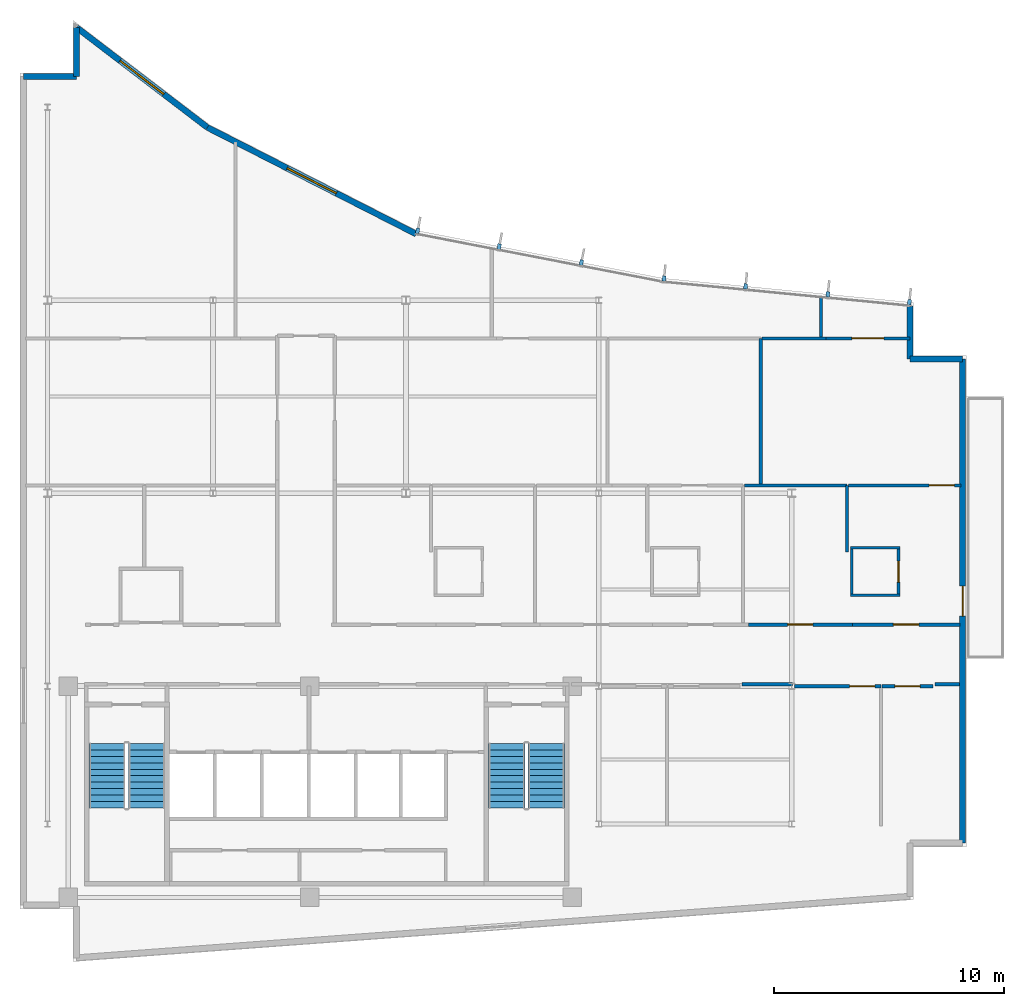
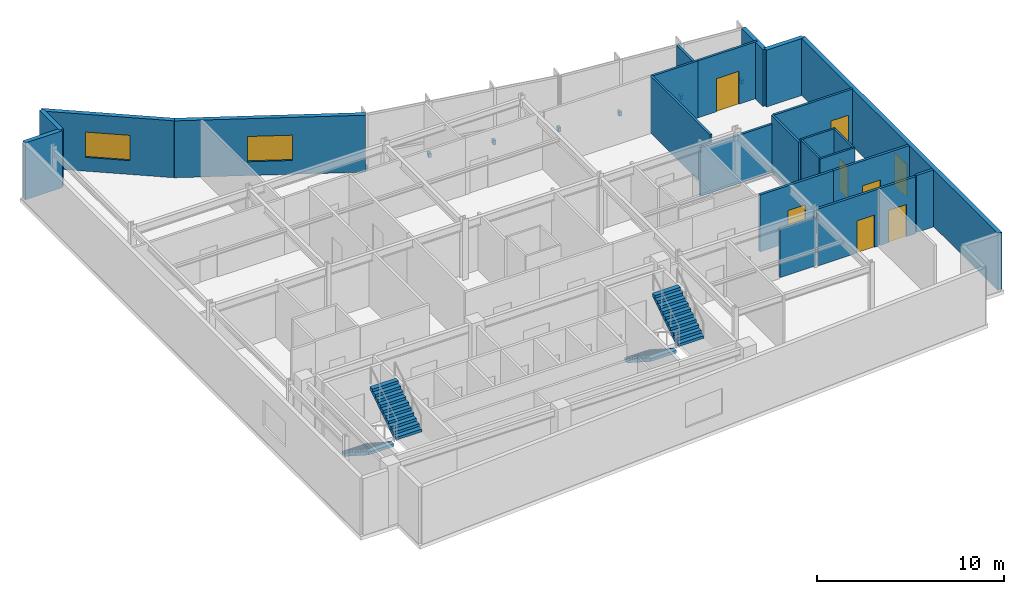
# One storey, part 12 of 15: 24 walls, 8 doors, 7 discrete accessories, 4 stair flights, 2 windows, 10 openings, 2 elements without a shape of their own.
"""IFC4 building model written with IfcOpenShell, lengths in metres."""

from ifc_helpers import new_model, si_unit, direction, frame, frame_2d, origin, origin_2d, place, context, subcontext, project, spatial, polyline, rectangle, outline, extrude, material, layer, layer_set, type_object, element, fill, aggregate, save


model = new_model("IFC4")

# Units and contexts
model_context = context("Model", 3, precision=1e-05, world=origin(), true_north=direction((0.0, 1.0)))
body_context = subcontext(model_context, "Body", "Model", "MODEL_VIEW")
ifc_project = project(units=[si_unit("LENGTHUNIT", "METRE"), si_unit("AREAUNIT", "SQUARE_METRE"), si_unit("VOLUMEUNIT", "CUBIC_METRE"), si_unit("PLANEANGLEUNIT", "RADIAN"), si_unit("MASSUNIT", "GRAM", prefix="KILO")], contexts=[model_context])

# Site, building, storey
site_placement = place(None, origin())
site = spatial("IfcSite", under=ifc_project, at=site_placement, CompositionType="ELEMENT")
building_placement = place(site_placement, origin())
building = spatial("IfcBuilding", under=site, at=building_placement, Name="Varnakote Quay Hospital", CompositionType="ELEMENT")
storey_placement = place(building_placement, frame((0.0, 0.0, 276.300048828125)))
storey = spatial("IfcBuildingStorey", under=building, at=storey_placement, Name="L68", CompositionType="ELEMENT", Elevation=276.300048828125)

# Walls
ifc_material_1 = material(Name="Fire-rated acoustic gypsum stud wall", Category="gypsum")
ifc_layer_1 = layer(ifc_material_1, 0.159912109375)
ifc_layer_set_1 = layer_set([ifc_layer_1], Name="Fire-rated acoustic gypsum stud wall")
wall_type_1 = type_object("IfcWallType", Name="WL-COMP-160", PredefinedType="PARTITIONING", material=ifc_layer_set_1)
wall_1_placement = place(storey_placement, frame((31.439208984375, 12.080078125, 0.0), z_axis=(0.0, 0.0, 1.0), x_axis=(1.0, 0.0, 0.0)))
element("IfcWall", 1, at=wall_1_placement, inside=storey, type_object=wall_type_1, Name="L68 Corridor South Gap Wall", PredefinedType="PARTITIONING", context=body_context, shape_type="SweptSolid", body=[
    extrude(rectangle(XDim=2.198486328125, YDim=0.159912109375, at=frame_2d((1.09912109375, 0.0))), origin(), (0.0, 0.0, 1.0), 3.156982421875),
])
wall_2_placement = place(storey_placement, frame((39.83935546875, 12.080078125, 0.0), z_axis=(0.0, 0.0, 1.0), x_axis=(1.0, 0.0, 0.0)))
element("IfcWall", 2, at=wall_2_placement, inside=storey, type_object=wall_type_1, Name="L68 Corridor South Gap Wall", PredefinedType="PARTITIONING", context=body_context, shape_type="SweptSolid", body=[
    extrude(rectangle(XDim=1.060546875, YDim=0.159912109375, at=frame_2d((0.5302734375, 0.0))), origin(), (0.0, 0.0, 1.0), 3.7099609375),
])
ifc_material_2 = material(Name="Moisture-resistant bathroom partition", Category="gypsum")
ifc_layer_2 = layer(ifc_material_2, 0.114990234375)
ifc_layer_set_2 = layer_set([ifc_layer_2], Name="Moisture-resistant bathroom partition")
wall_type_2 = type_object("IfcWallType", Name="WL-ENS-115", PredefinedType="PARTITIONING", material=ifc_layer_set_2)
for number, where, z_axis, x_axis, name in (
    (3, (36.155029296875, 15.952392578125, 0.0), (0.0, 0.0, 1.0), (1.0, 0.0, 0.0), "L68 Inpatient En-Suite Bathroom 03 S Wall"),
    (4, (36.155029296875, 18.017578125, 0.0), (0.0, 0.0, 1.0), (1.0, 0.0, 0.0), "L68 Inpatient En-Suite Bathroom 03 N Wall"),
):
    element("IfcWall", number, at=place(storey_placement, frame(where, z_axis=z_axis, x_axis=x_axis)), inside=storey, type_object=wall_type_2, Name=name, PredefinedType="PARTITIONING", context=body_context, shape_type="SweptSolid", body=[
        extrude(rectangle(XDim=2.14990234375, YDim=0.114990234375, at=frame_2d((1.074951171875, 0.0))), origin(), (0.0, 0.0, 1.0), 3.7099609375),
    ])
wall_3_placement = place(storey_placement, frame((36.21240234375, 16.010009765625, 0.0), z_axis=(0.0, 0.0, 1.0), x_axis=(0.0, 1.0, 0.0)))
element("IfcWall", 5, at=wall_3_placement, inside=storey, type_object=wall_type_2, Name="L68 Inpatient En-Suite Bathroom 03 W Wall", PredefinedType="PARTITIONING", context=body_context, shape_type="SweptSolid", body=[
    extrude(rectangle(XDim=1.949951171875, YDim=0.114990234375, at=frame_2d((0.97509765625, 0.0))), origin(), (0.0, 0.0, 1.0), 3.7099609375),
])

# Wall, opening, door
wall_4_placement = place(storey_placement, frame((38.24755859375, 16.010009765625, 0.0), z_axis=(0.0, 0.0, 1.0), x_axis=(0.0, 1.0, 0.0)))
wall_4 = element("IfcWall", 6, at=wall_4_placement, inside=storey, type_object=wall_type_2, Name="L68 Inpatient En-Suite Bathroom 03 E Wall", PredefinedType="PARTITIONING", context=body_context, shape_type="SweptSolid", body=[
    extrude(rectangle(XDim=1.949951171875, YDim=0.114990234375, at=frame_2d((0.97509765625, 0.0))), origin(), (0.0, 0.0, 1.0), 3.7099609375),
])
opening_1_placement = place(wall_4_placement, frame((0.514892578125, 0.0, 0.0)))
opening_1 = element("IfcOpeningElement", 7, at=opening_1_placement, cuts=wall_4, Name="Opening D-L68-ENS03", PredefinedType="OPENING", context=body_context, shape_type="SweptSolid", body=[
    extrude(rectangle(XDim=0.919921875, YDim=2.10009765625, at=frame_2d((0.4599609375, 1.050048828125))), frame((0.0, 0.0673828125, 0.0), z_axis=(0.0, -1.0, 0.0), x_axis=(1.0, 0.0, 0.0)), (0.0, 0.0, 1.0), 0.135009765625),
])
ifc_material_3 = material(Name="Moisture-sealed en-suite bathroom door")
door_type_1 = type_object("IfcDoorType", Name="DR-ENS-920x2100", OperationType="NOTDEFINED", PredefinedType="DOOR", material=ifc_material_3)
door_1_placement = place(opening_1_placement, origin())
door_1 = element("IfcDoor", 8, at=door_1_placement, inside=storey, type_object=door_type_1, Name="L68 Inpatient En-Suite Bathroom 03 Door", OperationType="SINGLE_SWING_LEFT", OverallHeight=2.10009765625, OverallWidth=0.919921875, PredefinedType="DOOR", context=body_context, shape_type="SweptSolid", body=[
    extrude(rectangle(XDim=0.919921875, YDim=2.10009765625, at=frame_2d((0.4599609375, 1.050048828125))), frame((0.0, 0.02490234375, 0.0), z_axis=(0.0, -1.0, 0.0), x_axis=(1.0, 0.0, 0.0)), (0.0, 0.0, 1.0), 0.050048828125),
])
fill(opening_1, door_1)

ifc_material_4 = material(Name="Precast concrete N50 (f'c 50 MPa)", Category="concrete")
ifc_layer_3 = layer(ifc_material_4, 0.260009765625)
ifc_layer_set_3 = layer_set([ifc_layer_3], Name="Precast concrete N50 (f'c 50 MPa)")
wall_type_3 = type_object("IfcWallType", Name="WL-EXT-BRICK-260", PredefinedType="STANDARD", material=ifc_layer_set_3)
wall_5_placement = place(storey_placement, frame((41.0400390625, 5.159912109375, 0.0), z_axis=(0.0, 0.0, 1.0), x_axis=(0.0, 1.0, 0.0)))
wall_5 = element("IfcWall", 9, at=wall_5_placement, inside=storey, type_object=wall_type_3, Name="L68 Healing Terrace Portal Brick Wall", PredefinedType="STANDARD", context=body_context, shape_type="SweptSolid", body=[
    extrude(rectangle(XDim=21.080078125, YDim=0.260009765625, at=frame_2d((10.5400390625, 0.0))), origin(), (0.0, 0.0, 1.0), 3.7099609375),
])
opening_2_placement = place(wall_5_placement, frame((9.889892578125, 0.0, 0.0)))
opening_2 = element("IfcOpeningElement", 10, at=opening_2_placement, cuts=wall_5, Name="Opening DT-L68", PredefinedType="OPENING", context=body_context, shape_type="SweptSolid", body=[
    extrude(rectangle(XDim=1.300048828125, YDim=2.14990234375, at=frame_2d((0.64990234375, 1.074951171875))), frame((0.0, 0.139892578125, 0.0), z_axis=(0.0, -1.0, 0.0), x_axis=(1.0, 0.0, 0.0)), (0.0, 0.0, 1.0), 0.280029296875),
])
ifc_material_5 = material(Name="Anodised aluminium glazed terrace door", Category="aluminium")
door_type_2 = type_object("IfcDoorType", Name="DR-EXT-TERR-1300x2150", OperationType="NOTDEFINED", PredefinedType="DOOR", material=ifc_material_5)
door_2_placement = place(opening_2_placement, origin())
door_2 = element("IfcDoor", 11, at=door_2_placement, inside=storey, type_object=door_type_2, Name="L68 Waterfront Healing Terrace Door", OperationType="SINGLE_SWING_LEFT", OverallHeight=2.14990234375, OverallWidth=1.300048828125, PredefinedType="DOOR", context=body_context, shape_type="SweptSolid", body=[
    extrude(rectangle(XDim=1.300048828125, YDim=2.14990234375, at=frame_2d((0.64990234375, 1.074951171875))), frame((0.0, 0.02490234375, 0.0), z_axis=(0.0, -1.0, 0.0), x_axis=(1.0, 0.0, 0.0)), (0.0, 0.0, 1.0), 0.050048828125),
])
fill(opening_2, door_2)

# Walls
wall_6_placement = place(storey_placement, frame((41.0400390625, 26.239990234375, 0.0), z_axis=(0.0, 0.0, 1.0), x_axis=(-1.0, 0.0, 0.0)))
element("IfcWall", 12, at=wall_6_placement, inside=storey, type_object=wall_type_3, Name="L68 Brick-Faced Precast Exterior Wall", PredefinedType="STANDARD", context=body_context, shape_type="SweptSolid", body=[
    extrude(rectangle(XDim=2.300048828125, YDim=0.260009765625, at=frame_2d((1.14990234375, 0.0))), origin(), (0.0, 0.0, 1.0), 3.7099609375),
])
wall_7_placement = place(storey_placement, frame((38.739990234375, 26.239990234375, 0.0), z_axis=(0.0, 0.0, 1.0), x_axis=(0.0, 1.0, 0.0)))
element("IfcWall", 13, at=wall_7_placement, inside=storey, type_object=wall_type_3, Name="L68 Brick-Faced Precast Exterior Wall", PredefinedType="STANDARD", context=body_context, shape_type="SweptSolid", body=[
    extrude(rectangle(XDim=2.314697265625, YDim=0.260009765625, at=frame_2d((1.1572265625, 0.0))), origin(), (0.0, 0.0, 1.0), 3.7099609375),
])

# Wall, opening, window
wall_8_placement = place(storey_placement, frame((17.25146484375, 31.68115234375, 0.0), z_axis=(0.0, 0.0, 1.0), x_axis=(-0.89069629535, 0.454598844532, 0.0)))
wall_8 = element("IfcWall", 14, at=wall_8_placement, inside=storey, type_object=wall_type_3, Name="L68 Brick-Faced Precast Exterior Wall", PredefinedType="STANDARD", context=body_context, shape_type="SweptSolid", body=[
    extrude(rectangle(XDim=10.213623046875, YDim=0.260009765625, at=frame_2d((5.10693359375, 0.0))), origin(), (0.0, 0.0, 1.0), 3.7099609375),
])
opening_3_placement = place(wall_8_placement, frame((3.90673828125, 0.0, 0.89990234375)))
opening_3 = element("IfcOpeningElement", 15, at=opening_3_placement, cuts=wall_8, Name="Opening WN-0275", PredefinedType="OPENING", context=body_context, shape_type="SweptSolid", body=[
    extrude(rectangle(XDim=2.39990234375, YDim=1.64990234375, at=frame_2d((1.199951171875, 0.824951171875))), frame((0.0, 0.139892578125, 0.0), z_axis=(0.0, -1.0, 0.0), x_axis=(1.0, 0.0, 0.0)), (0.0, 0.0, 1.0), 0.280029296875),
])
ifc_material_6 = material(Name="Double-glazed low-E solar glass", Category="glass")
window_type = type_object("IfcWindowType", Name="WIN-CLIN-2400x1650", PartitioningType="SINGLE_PANEL", PredefinedType="WINDOW", material=ifc_material_6)
window_1_placement = place(opening_3_placement, origin())
window_1 = element("IfcWindow", 16, at=window_1_placement, inside=storey, type_object=window_type, Name="L68 Solar-Control Clinical Window", OverallHeight=1.64990234375, OverallWidth=2.39990234375, PartitioningType="SINGLE_PANEL", PredefinedType="WINDOW", context=body_context, shape_type="SweptSolid", body=[
    extrude(rectangle(XDim=2.39990234375, YDim=1.64990234375, at=frame_2d((1.199951171875, 0.824951171875))), frame((0.0, 0.030029296875, 0.0), z_axis=(0.0, -1.0, 0.0), x_axis=(1.0, 0.0, 0.0)), (0.0, 0.0, 1.0), 0.06005859375),
])
fill(opening_3, window_1)

wall_9_placement = place(storey_placement, frame((8.154296875, 36.32421875, 0.0), z_axis=(0.0, 0.0, 1.0), x_axis=(-0.794522176632, 0.607235136368, 0.0)))
wall_9 = element("IfcWall", 17, at=wall_9_placement, inside=storey, type_object=wall_type_3, Name="L68 Brick-Faced Precast Exterior Wall", PredefinedType="STANDARD", context=body_context, shape_type="SweptSolid", body=[
    extrude(rectangle(XDim=7.1669921875, YDim=0.260009765625, at=frame_2d((3.58349609375, 0.0))), origin(), (0.0, 0.0, 1.0), 3.7099609375),
])
opening_4_placement = place(wall_9_placement, frame((2.383544921875, 0.0, 0.89990234375)))
opening_4 = element("IfcOpeningElement", 18, at=opening_4_placement, cuts=wall_9, Name="Opening WN-0276", PredefinedType="OPENING", context=body_context, shape_type="SweptSolid", body=[
    extrude(rectangle(XDim=2.39990234375, YDim=1.64990234375, at=frame_2d((1.199951171875, 0.824951171875))), frame((0.0, 0.139892578125, 0.0), z_axis=(0.0, -1.0, 0.0), x_axis=(1.0, 0.0, 0.0)), (0.0, 0.0, 1.0), 0.280029296875),
])
window_2_placement = place(opening_4_placement, origin())
window_2 = element("IfcWindow", 19, at=window_2_placement, inside=storey, type_object=window_type, Name="L68 Solar-Control Clinical Window", OverallHeight=1.64990234375, OverallWidth=2.39990234375, PartitioningType="SINGLE_PANEL", PredefinedType="WINDOW", context=body_context, shape_type="SweptSolid", body=[
    extrude(rectangle(XDim=2.39990234375, YDim=1.64990234375, at=frame_2d((1.199951171875, 0.824951171875))), frame((0.0, 0.030029296875, 0.0), z_axis=(0.0, -1.0, 0.0), x_axis=(1.0, 0.0, 0.0)), (0.0, 0.0, 1.0), 0.06005859375),
])
fill(opening_4, window_2)

# Walls
wall_10_placement = place(storey_placement, frame((2.4599609375, 40.67626953125, 0.0), z_axis=(0.0, 0.0, 1.0), x_axis=(0.0, -1.0, 0.0)))
element("IfcWall", 20, at=wall_10_placement, inside=storey, type_object=wall_type_3, Name="L68 Brick-Faced Precast Exterior Wall", PredefinedType="STANDARD", context=body_context, shape_type="SweptSolid", body=[
    extrude(rectangle(XDim=2.13623046875, YDim=0.260009765625, at=frame_2d((1.068115234375, 0.0))), origin(), (0.0, 0.0, 1.0), 3.7099609375),
])
wall_11_placement = place(storey_placement, frame((2.4599609375, 38.5400390625, 0.0), z_axis=(0.0, 0.0, 1.0), x_axis=(-1.0, 0.0, 0.0)))
element("IfcWall", 21, at=wall_11_placement, inside=storey, type_object=wall_type_3, Name="L68 Brick-Faced Precast Exterior Wall", PredefinedType="STANDARD", context=body_context, shape_type="SweptSolid", body=[
    extrude(rectangle(XDim=2.300048828125, YDim=0.260009765625, at=frame_2d((1.14990234375, 0.0))), origin(), (0.0, 0.0, 1.0), 3.7099609375),
])
ifc_material_7 = material(Name="Smoke-proof clinical partition", Category="gypsum")
ifc_layer_4 = layer(ifc_material_7, 0.135009765625)
ifc_layer_set_4 = layer_set([ifc_layer_4], Name="Smoke-proof clinical partition")
wall_type_4 = type_object("IfcWallType", Name="WL-SMOKE-135", PredefinedType="PARTITIONING", material=ifc_layer_set_4)
wall_12_placement = place(storey_placement, frame((36.010009765625, 17.83251953125, 0.0), z_axis=(0.0, 0.0, 1.0), x_axis=(0.0, 1.0, 0.0)))
element("IfcWall", 22, at=wall_12_placement, inside=storey, type_object=wall_type_4, Name="L68 Clinical Interior Partition", PredefinedType="PARTITIONING", context=body_context, shape_type="SweptSolid", body=[
    extrude(rectangle(XDim=2.907470703125, YDim=0.135009765625, at=frame_2d((1.45361328125, 0.0))), origin(), (0.0, 0.0, 1.0), 3.7099609375),
])
wall_13_placement = place(storey_placement, frame((36.010009765625, 20.739990234375, 0.0), z_axis=(0.0, 0.0, 1.0), x_axis=(-1.0, 0.0, 0.0)))
element("IfcWall", 23, at=wall_13_placement, inside=storey, type_object=wall_type_4, Name="L68 Clinical Interior Partition", PredefinedType="PARTITIONING", context=body_context, shape_type="SweptSolid", body=[
    extrude(rectangle(XDim=4.472412109375, YDim=0.135009765625, at=frame_2d((2.236328125, 0.0))), origin(), (0.0, 0.0, 1.0), 3.156982421875),
])

# Wall, opening, door
wall_14_placement = place(storey_placement, frame((40.9599609375, 20.739990234375, 0.0), z_axis=(0.0, 0.0, 1.0), x_axis=(-1.0, 0.0, 0.0)))
wall_14 = element("IfcWall", 24, at=wall_14_placement, inside=storey, type_object=wall_type_4, Name="L68 Clinical Interior Partition", PredefinedType="PARTITIONING", context=body_context, shape_type="SweptSolid", body=[
    extrude(rectangle(XDim=4.892578125, YDim=0.135009765625, at=frame_2d((2.4462890625, 0.0))), origin(), (0.0, 0.0, 1.0), 3.7099609375),
])
opening_5_placement = place(wall_14_placement, frame((0.284912109375, 0.0, 0.0)))
opening_5 = element("IfcOpeningElement", 25, at=opening_5_placement, cuts=wall_14, Name="Opening D-L68-DLNG", PredefinedType="OPENING", context=body_context, shape_type="SweptSolid", body=[
    extrude(rectangle(XDim=1.10009765625, YDim=2.10009765625, at=frame_2d((0.550048828125, 1.050048828125))), frame((0.0, 0.077392578125, 0.0), z_axis=(0.0, -1.0, 0.0), x_axis=(1.0, 0.0, 0.0)), (0.0, 0.0, 1.0), 0.155029296875),
])
ifc_material_8 = material(Name="Acoustic timber clinical consult door", Category="wood")
door_type_3 = type_object("IfcDoorType", Name="DR-CLIN-FD30S-1100x2100", OperationType="NOTDEFINED", PredefinedType="DOOR", material=ifc_material_8)
door_3_placement = place(opening_5_placement, origin())
door_3 = element("IfcDoor", 26, at=door_3_placement, inside=storey, type_object=door_type_3, Name="L68 Waterfront Patient & Family Dayroom Door", OperationType="SINGLE_SWING_RIGHT", OverallHeight=2.10009765625, OverallWidth=1.10009765625, PredefinedType="DOOR", context=body_context, shape_type="SweptSolid", body=[
    extrude(rectangle(XDim=1.10009765625, YDim=2.10009765625, at=frame_2d((0.550048828125, 1.050048828125))), frame((0.0, 0.02490234375, 0.0), z_axis=(0.0, -1.0, 0.0), x_axis=(1.0, 0.0, 0.0)), (0.0, 0.0, 1.0), 0.050048828125),
])
fill(opening_5, door_3)

# Walls
wall_15_placement = place(storey_placement, frame((32.25, 20.797607421875, 0.0), z_axis=(0.0, 0.0, 1.0), x_axis=(0.0, 1.0, 0.0)))
element("IfcWall", 27, at=wall_15_placement, inside=storey, type_object=wall_type_4, Name="L68 Clinical Interior Partition", PredefinedType="PARTITIONING", context=body_context, shape_type="SweptSolid", body=[
    extrude(rectangle(XDim=6.34228515625, YDim=0.135009765625, at=frame_2d((3.171142578125, 0.0))), origin(), (0.0, 0.0, 1.0), 3.7099609375),
])
wall_16_placement = place(storey_placement, frame((35.08740234375, 27.139892578125, 0.0), z_axis=(0.0, 0.0, 1.0), x_axis=(-1.0, 0.0, 0.0)))
element("IfcWall", 28, at=wall_16_placement, inside=storey, type_object=wall_type_4, Name="L68 Clinical Interior Partition", PredefinedType="PARTITIONING", context=body_context, shape_type="SweptSolid", body=[
    extrude(rectangle(XDim=2.77978515625, YDim=0.135009765625, at=frame_2d((1.389892578125, 0.0))), origin(), (0.0, 0.0, 1.0), 3.7099609375),
])

# Wall, opening, door
wall_17_placement = place(storey_placement, frame((38.739990234375, 27.139892578125, 0.0), z_axis=(0.0, 0.0, 1.0), x_axis=(-1.0, 0.0, 0.0)))
wall_17 = element("IfcWall", 29, at=wall_17_placement, inside=storey, type_object=wall_type_4, Name="L68 Clinical Interior Partition", PredefinedType="PARTITIONING", context=body_context, shape_type="SweptSolid", body=[
    extrude(rectangle(XDim=3.650390625, YDim=0.135009765625, at=frame_2d((1.8251953125, 0.0))), origin(), (0.0, 0.0, 1.0), 3.7099609375),
])
opening_6_placement = place(wall_17_placement, frame((1.125244140625, 0.0, 0.0)))
opening_6 = element("IfcOpeningElement", 30, at=opening_6_placement, cuts=wall_17, Name="Opening D-L68-UST01", PredefinedType="OPENING", context=body_context, shape_type="SweptSolid", body=[
    extrude(rectangle(XDim=1.39990234375, YDim=2.14990234375, at=frame_2d((0.699951171875, 1.074951171875))), frame((0.0, 0.077392578125, 0.0), z_axis=(0.0, -1.0, 0.0), x_axis=(1.0, 0.0, 0.0)), (0.0, 0.0, 1.0), 0.155029296875),
])
ifc_material_9 = material(Name="Fire-rated acoustic plant room door")
door_type_4 = type_object("IfcDoorType", Name="DR-PLANT-FD60-1400x2150", OperationType="NOTDEFINED", PredefinedType="DOOR", material=ifc_material_9)
door_4_placement = place(opening_6_placement, origin())
door_4 = element("IfcDoor", 31, at=door_4_placement, inside=storey, type_object=door_type_4, Name="L68 Ward Clean Equipment Store 01 Door", OperationType="SINGLE_SWING_LEFT", OverallHeight=2.14990234375, OverallWidth=1.39990234375, PredefinedType="DOOR", context=body_context, shape_type="SweptSolid", body=[
    extrude(rectangle(XDim=1.39990234375, YDim=2.14990234375, at=frame_2d((0.699951171875, 1.074951171875))), frame((0.0, 0.02490234375, 0.0), z_axis=(0.0, -1.0, 0.0), x_axis=(1.0, 0.0, 0.0)), (0.0, 0.0, 1.0), 0.050048828125),
])
fill(opening_6, door_4)

# Wall
wall_18_placement = place(storey_placement, frame((34.8798828125, 27.197509765625, 0.0), z_axis=(0.0, 0.0, 1.0), x_axis=(0.0, 1.0, 0.0)))
element("IfcWall", 32, at=wall_18_placement, inside=storey, type_object=wall_type_4, Name="L68 Clinical Interior Partition", PredefinedType="PARTITIONING", context=body_context, shape_type="SweptSolid", body=[
    extrude(rectangle(XDim=1.731689453125, YDim=0.135009765625, at=frame_2d((0.86572265625, 0.0))), origin(), (0.0, 0.0, 1.0), 3.7099609375),
])

# Wall, opening, door
ifc_material_10 = material(Name="Fire-rated clinical gypsum partition", Category="gypsum")
ifc_layer_5 = layer(ifc_material_10, 0.14990234375)
ifc_layer_set_5 = layer_set([ifc_layer_5], Name="Fire-rated clinical gypsum partition")
wall_type_5 = type_object("IfcWallType", Name="WL-WARD-150", PredefinedType="PARTITIONING", material=ifc_layer_set_5)
wall_19_placement = place(storey_placement, frame((37.47998046875, 12.0, 0.0), z_axis=(0.0, 0.0, 1.0), x_axis=(-1.0, 0.0, 0.0)))
wall_19 = element("IfcWall", 33, at=wall_19_placement, inside=storey, type_object=wall_type_5, Name="L68 Clinical Interior Partition", PredefinedType="PARTITIONING", context=body_context, shape_type="SweptSolid", body=[
    extrude(rectangle(XDim=3.7529296875, YDim=0.14990234375, at=frame_2d((1.87646484375, 0.0))), origin(), (0.0, 0.0, 1.0), 3.7099609375),
])
opening_7_placement = place(wall_19_placement, frame((0.25634765625, 0.0, 0.0)))
opening_7 = element("IfcOpeningElement", 34, at=opening_7_placement, cuts=wall_19, Name="Opening D-L68-RM1", PredefinedType="OPENING", context=body_context, shape_type="SweptSolid", body=[
    extrude(rectangle(XDim=1.10009765625, YDim=2.10009765625, at=frame_2d((0.550048828125, 1.050048828125))), frame((0.0, 0.0849609375, 0.0), z_axis=(0.0, -1.0, 0.0), x_axis=(1.0, 0.0, 0.0)), (0.0, 0.0, 1.0), 0.169921875),
])
door_5_placement = place(opening_7_placement, origin())
door_5 = element("IfcDoor", 35, at=door_5_placement, inside=storey, type_object=door_type_3, Name="L68 Cardiac Telemetry Treatment Suite Door", OperationType="SINGLE_SWING_RIGHT", OverallHeight=2.10009765625, OverallWidth=1.10009765625, PredefinedType="DOOR", context=body_context, shape_type="SweptSolid", body=[
    extrude(rectangle(XDim=1.10009765625, YDim=2.10009765625, at=frame_2d((0.550048828125, 1.050048828125))), frame((0.0, 0.02490234375, 0.0), z_axis=(0.0, -1.0, 0.0), x_axis=(1.0, 0.0, 0.0)), (0.0, 0.0, 1.0), 0.050048828125),
])
fill(opening_7, door_5)

wall_20_placement = place(storey_placement, frame((39.75, 12.0, 0.0), z_axis=(0.0, 0.0, 1.0), x_axis=(-1.0, 0.0, 0.0)))
wall_20 = element("IfcWall", 36, at=wall_20_placement, inside=storey, type_object=wall_type_5, Name="L68 Clinical Interior Partition", PredefinedType="PARTITIONING", context=body_context, shape_type="SweptSolid", body=[
    extrude(rectangle(XDim=2.21240234375, YDim=0.14990234375, at=frame_2d((1.106201171875, 0.0))), origin(), (0.0, 0.0, 1.0), 3.7099609375),
])
opening_8_placement = place(wall_20_placement, frame((0.55615234375, 0.0, 0.0)))
opening_8 = element("IfcOpeningElement", 37, at=opening_8_placement, cuts=wall_20, Name="Opening D-L68-RM2", PredefinedType="OPENING", context=body_context, shape_type="SweptSolid", body=[
    extrude(rectangle(XDim=1.10009765625, YDim=2.10009765625, at=frame_2d((0.550048828125, 1.050048828125))), frame((0.0, 0.0849609375, 0.0), z_axis=(0.0, -1.0, 0.0), x_axis=(1.0, 0.0, 0.0)), (0.0, 0.0, 1.0), 0.169921875),
])
door_6_placement = place(opening_8_placement, origin())
door_6 = element("IfcDoor", 38, at=door_6_placement, inside=storey, type_object=door_type_3, Name="L68 Vascular Diagnostics Office Door", OperationType="SINGLE_SWING_LEFT", OverallHeight=2.10009765625, OverallWidth=1.10009765625, PredefinedType="DOOR", context=body_context, shape_type="SweptSolid", body=[
    extrude(rectangle(XDim=1.10009765625, YDim=2.10009765625, at=frame_2d((0.550048828125, 1.050048828125))), frame((0.0, 0.02490234375, 0.0), z_axis=(0.0, -1.0, 0.0), x_axis=(1.0, 0.0, 0.0)), (0.0, 0.0, 1.0), 0.050048828125),
])
fill(opening_8, door_6)

wall_21_placement = place(storey_placement, frame((36.236083984375, 14.679931640625, 0.0), z_axis=(0.0, 0.0, 1.0), x_axis=(-1.0, 0.0, 0.0)))
wall_21 = element("IfcWall", 39, at=wall_21_placement, inside=storey, type_object=wall_type_5, Name="L68 Clinical Interior Partition", PredefinedType="PARTITIONING", context=body_context, shape_type="SweptSolid", body=[
    extrude(rectangle(XDim=4.528076171875, YDim=0.14990234375, at=frame_2d((2.26416015625, 0.0))), origin(), (0.0, 0.0, 1.0), 3.7099609375),
])
opening_9_placement = place(wall_21_placement, frame((1.714111328125, 0.0, 0.0)))
opening_9 = element("IfcOpeningElement", 40, at=opening_9_placement, cuts=wall_21, Name="Opening D-L68-MD05", PredefinedType="OPENING", context=body_context, shape_type="SweptSolid", body=[
    extrude(rectangle(XDim=1.10009765625, YDim=2.10009765625, at=frame_2d((0.550048828125, 1.050048828125))), frame((0.0, 0.0849609375, 0.0), z_axis=(0.0, -1.0, 0.0), x_axis=(1.0, 0.0, 0.0)), (0.0, 0.0, 1.0), 0.169921875),
])
door_7_placement = place(opening_9_placement, origin())
door_7 = element("IfcDoor", 41, at=door_7_placement, inside=storey, type_object=door_type_3, Name="L68 Surgical Fellowship Teaching Room Door", OperationType="SINGLE_SWING_RIGHT", OverallHeight=2.10009765625, OverallWidth=1.10009765625, PredefinedType="DOOR", context=body_context, shape_type="SweptSolid", body=[
    extrude(rectangle(XDim=1.10009765625, YDim=2.10009765625, at=frame_2d((0.550048828125, 1.050048828125))), frame((0.0, 0.02490234375, 0.0), z_axis=(0.0, -1.0, 0.0), x_axis=(1.0, 0.0, 0.0)), (0.0, 0.0, 1.0), 0.050048828125),
])
fill(opening_9, door_7)

wall_22_placement = place(storey_placement, frame((40.919921875, 14.679931640625, 0.0), z_axis=(0.0, 0.0, 1.0), x_axis=(-1.0, 0.0, 0.0)))
wall_22 = element("IfcWall", 42, at=wall_22_placement, inside=storey, type_object=wall_type_5, Name="L68 Clinical Interior Partition", PredefinedType="PARTITIONING", context=body_context, shape_type="SweptSolid", body=[
    extrude(rectangle(XDim=4.681884765625, YDim=0.14990234375, at=frame_2d((2.3408203125, 0.0))), origin(), (0.0, 0.0, 1.0), 3.7099609375),
])
opening_10_placement = place(wall_22_placement, frame((1.791015625, 0.0, 0.0)))
opening_10 = element("IfcOpeningElement", 43, at=opening_10_placement, cuts=wall_22, Name="Opening D-L68-BR03", PredefinedType="OPENING", context=body_context, shape_type="SweptSolid", body=[
    extrude(rectangle(XDim=1.10009765625, YDim=2.10009765625, at=frame_2d((0.550048828125, 1.050048828125))), frame((0.0, 0.0849609375, 0.0), z_axis=(0.0, -1.0, 0.0), x_axis=(1.0, 0.0, 0.0)), (0.0, 0.0, 1.0), 0.169921875),
])
door_8_placement = place(opening_10_placement, origin())
door_8 = element("IfcDoor", 44, at=door_8_placement, inside=storey, type_object=door_type_3, Name="L68 Inpatient Clinical Treatment Room 03 Door", OperationType="SINGLE_SWING_LEFT", OverallHeight=2.10009765625, OverallWidth=1.10009765625, PredefinedType="DOOR", context=body_context, shape_type="SweptSolid", body=[
    extrude(rectangle(XDim=1.10009765625, YDim=2.10009765625, at=frame_2d((0.550048828125, 1.050048828125))), frame((0.0, 0.02490234375, 0.0), z_axis=(0.0, -1.0, 0.0), x_axis=(1.0, 0.0, 0.0)), (0.0, 0.0, 1.0), 0.050048828125),
])
fill(opening_10, door_8)

# Stair, stair flights
ifc_material_11 = material(Name="Concrete N40 (f'c 40 MPa)", Category="concrete")
stair_type = type_object("IfcStairType", Name="STR-CORE-1580", PredefinedType="HALF_TURN_STAIR", material=ifc_material_11)
stair_1_placement = place(storey_placement, origin())
stair_1 = element("IfcStair", 45, at=stair_1_placement, inside=storey, type_object=stair_type, Name="L68 Fire-Isolated Exit Stair ST-01", PredefinedType="HALF_TURN_STAIR")
ifc_material_12 = material(Name="Concrete N40 (f'c 40 MPa)", Category="concrete")
ifc_layer_6 = layer(ifc_material_12, 0.159912109375)
ifc_layer_set_6 = layer_set([ifc_layer_6], Name="Concrete N40 (f'c 40 MPa)")
stair_flight_type = type_object("IfcStairFlightType", Name="FLT-CORE-1580", PredefinedType="STRAIGHT", material=ifc_layer_set_6)
stair_flight_1_placement = place(storey_placement, frame((3.7900390625, 9.5, 0.0), z_axis=(0.0, 0.0, 1.0), x_axis=(0.0, -1.0, 0.0)))
stair_flight_1 = element("IfcStairFlight", 46, at=stair_flight_1_placement, type_object=stair_flight_type, Name="ST-01 flight 1", NumberOfRisers=11, NumberOfTreads=10, PredefinedType="STRAIGHT", RiserHeight=0.179545455, TreadLength=0.28, context=body_context, shape_type="SweptSolid", body=[
    extrude(outline(polyline([(0.0, 0.0), (0.0, 0.179443359375), (0.280029296875, 0.179443359375), (0.280029296875, 0.359130859375), (0.56005859375, 0.359130859375), (0.56005859375, 0.53857421875), (0.840087890625, 0.53857421875), (0.840087890625, 0.71826171875), (1.1201171875, 0.71826171875), (1.1201171875, 0.897705078125), (1.39990234375, 0.897705078125), (1.39990234375, 1.077392578125), (1.679931640625, 1.077392578125), (1.679931640625, 1.2568359375), (1.9599609375, 1.2568359375), (1.9599609375, 1.436279296875), (2.239990234375, 1.436279296875), (2.239990234375, 1.615966796875), (2.52001953125, 1.615966796875), (2.52001953125, 1.79541015625), (2.800048828125, 1.79541015625), (2.800048828125, 1.97509765625), (2.800048828125, 1.60546875), (0.296142578125, 0.0), (0.0, 0.0)])), frame((0.0, 0.7900390625, 0.0), z_axis=(0.0, -1.0, 0.0), x_axis=(1.0, 0.0, 0.0)), (0.0, 0.0, 1.0), 1.580078125),
])
stair_flight_2_placement = place(storey_placement, frame((5.510009765625, 6.699951171875, 1.974853515625), z_axis=(0.0, 0.0, 1.0), x_axis=(0.0, 1.0, 0.0)))
stair_flight_2 = element("IfcStairFlight", 47, at=stair_flight_2_placement, type_object=stair_flight_type, Name="ST-01 flight 2", NumberOfRisers=11, NumberOfTreads=10, PredefinedType="STRAIGHT", RiserHeight=0.179545455, TreadLength=0.28, context=body_context, shape_type="SweptSolid", body=[
    extrude(outline(polyline([(0.0, 0.0), (0.0, 0.179443359375), (0.280029296875, 0.179443359375), (0.280029296875, 0.359130859375), (0.56005859375, 0.359130859375), (0.56005859375, 0.53857421875), (0.840087890625, 0.53857421875), (0.840087890625, 0.71826171875), (1.1201171875, 0.71826171875), (1.1201171875, 0.897705078125), (1.39990234375, 0.897705078125), (1.39990234375, 1.077392578125), (1.679931640625, 1.077392578125), (1.679931640625, 1.2568359375), (1.9599609375, 1.2568359375), (1.9599609375, 1.436279296875), (2.239990234375, 1.436279296875), (2.239990234375, 1.615966796875), (2.52001953125, 1.615966796875), (2.52001953125, 1.79541015625), (2.800048828125, 1.79541015625), (2.800048828125, 1.97509765625), (2.800048828125, 1.60546875), (0.296142578125, 0.0), (0.0, 0.0)])), frame((0.0, 0.7900390625, 0.0), z_axis=(0.0, -1.0, 0.0), x_axis=(1.0, 0.0, 0.0)), (0.0, 0.0, 1.0), 1.580078125),
])
aggregate(stair_1, [stair_flight_1, stair_flight_2])

stair_2_placement = place(storey_placement, origin())
stair_2 = element("IfcStair", 48, at=stair_2_placement, inside=storey, type_object=stair_type, Name="L68 Fire-Isolated Exit Stair ST-02", PredefinedType="HALF_TURN_STAIR")
stair_flight_3_placement = place(storey_placement, frame((21.18994140625, 9.5, 0.0), z_axis=(0.0, 0.0, 1.0), x_axis=(0.0, -1.0, 0.0)))
stair_flight_3 = element("IfcStairFlight", 49, at=stair_flight_3_placement, type_object=stair_flight_type, Name="ST-02 flight 1", NumberOfRisers=11, NumberOfTreads=10, PredefinedType="STRAIGHT", RiserHeight=0.179545455, TreadLength=0.28, context=body_context, shape_type="SweptSolid", body=[
    extrude(outline(polyline([(0.0, 0.0), (0.0, 0.179443359375), (0.280029296875, 0.179443359375), (0.280029296875, 0.359130859375), (0.56005859375, 0.359130859375), (0.56005859375, 0.53857421875), (0.840087890625, 0.53857421875), (0.840087890625, 0.71826171875), (1.1201171875, 0.71826171875), (1.1201171875, 0.897705078125), (1.39990234375, 0.897705078125), (1.39990234375, 1.077392578125), (1.679931640625, 1.077392578125), (1.679931640625, 1.2568359375), (1.9599609375, 1.2568359375), (1.9599609375, 1.436279296875), (2.239990234375, 1.436279296875), (2.239990234375, 1.615966796875), (2.52001953125, 1.615966796875), (2.52001953125, 1.79541015625), (2.800048828125, 1.79541015625), (2.800048828125, 1.97509765625), (2.800048828125, 1.60546875), (0.296142578125, 0.0), (0.0, 0.0)])), frame((0.0, 0.7900390625, 0.0), z_axis=(0.0, -1.0, 0.0), x_axis=(1.0, 0.0, 0.0)), (0.0, 0.0, 1.0), 1.580078125),
])
stair_flight_4_placement = place(storey_placement, frame((22.909912109375, 6.699951171875, 1.974853515625), z_axis=(0.0, 0.0, 1.0), x_axis=(0.0, 1.0, 0.0)))
stair_flight_4 = element("IfcStairFlight", 50, at=stair_flight_4_placement, type_object=stair_flight_type, Name="ST-02 flight 2", NumberOfRisers=11, NumberOfTreads=10, PredefinedType="STRAIGHT", RiserHeight=0.179545455, TreadLength=0.28, context=body_context, shape_type="SweptSolid", body=[
    extrude(outline(polyline([(0.0, 0.0), (0.0, 0.179443359375), (0.280029296875, 0.179443359375), (0.280029296875, 0.359130859375), (0.56005859375, 0.359130859375), (0.56005859375, 0.53857421875), (0.840087890625, 0.53857421875), (0.840087890625, 0.71826171875), (1.1201171875, 0.71826171875), (1.1201171875, 0.897705078125), (1.39990234375, 0.897705078125), (1.39990234375, 1.077392578125), (1.679931640625, 1.077392578125), (1.679931640625, 1.2568359375), (1.9599609375, 1.2568359375), (1.9599609375, 1.436279296875), (2.239990234375, 1.436279296875), (2.239990234375, 1.615966796875), (2.52001953125, 1.615966796875), (2.52001953125, 1.79541015625), (2.800048828125, 1.79541015625), (2.800048828125, 1.97509765625), (2.800048828125, 1.60546875), (0.296142578125, 0.0), (0.0, 0.0)])), frame((0.0, 0.7900390625, 0.0), z_axis=(0.0, -1.0, 0.0), x_axis=(1.0, 0.0, 0.0)), (0.0, 0.0, 1.0), 1.580078125),
])
aggregate(stair_2, [stair_flight_3, stair_flight_4])

# Discrete accessories
ifc_material_13 = material(Name="Anodised aluminium 6063-T6 Bronze", Category="aluminium")
discrete_accessory_type = type_object("IfcDiscreteAccessoryType", Name="ACC-FIN-BRACKET-180", PredefinedType="BRACKET", material=ifc_material_13)
for number, where, z_axis, x_axis, name in (
    (51, (38.72216796875, 28.707275390625, 0.0), (0.0, 0.0, 1.0), (-0.995329042842, 0.096540646748, 0.0), "L68 Curtain Wall Fin Fixing Bracket"),
    (52, (35.172119140625, 29.0517578125, 0.0), (0.0, 0.0, 1.0), (-0.995329042842, 0.096540646748, 0.0), "L68 Curtain Wall Fin Fixing Bracket"),
    (53, (31.58984375, 29.399169921875, 0.0), (0.0, 0.0, 1.0), (-0.995329042842, 0.096540646748, 0.0), "L68 Curtain Wall Fin Fixing Bracket"),
    (54, (28.039794921875, 29.74365234375, 0.0), (0.0, 0.0, 1.0), (-0.995329042842, 0.096540646748, 0.0), "L68 Curtain Wall Fin Fixing Bracket"),
    (55, (24.44091796875, 30.439208984375, 0.0), (0.0, 0.0, 1.0), (-0.981693728546, 0.190466331231, 0.0), "L68 Curtain Wall Fin Fixing Bracket"),
    (56, (20.860595703125, 31.1337890625, 0.0), (0.0, 0.0, 1.0), (-0.981693728546, 0.190466331231, 0.0), "L68 Curtain Wall Fin Fixing Bracket"),
    (57, (17.31201171875, 31.822265625, 0.0), (0.0, 0.0, 1.0), (-0.981693728546, 0.190466331231, 0.0), "L68 Curtain Wall Fin Fixing Bracket"),
):
    element("IfcDiscreteAccessory", number, at=place(storey_placement, frame(where, z_axis=z_axis, x_axis=x_axis)), inside=storey, type_object=discrete_accessory_type, Name=name, PredefinedType="BRACKET", context=body_context, shape_type="SweptSolid", body=[
        extrude(rectangle(XDim=0.159912109375, YDim=0.239990234375, at=origin_2d()), origin(), (0.0, 0.0, 1.0), 0.280029296875),
    ])

save(model, "model.ifc")
